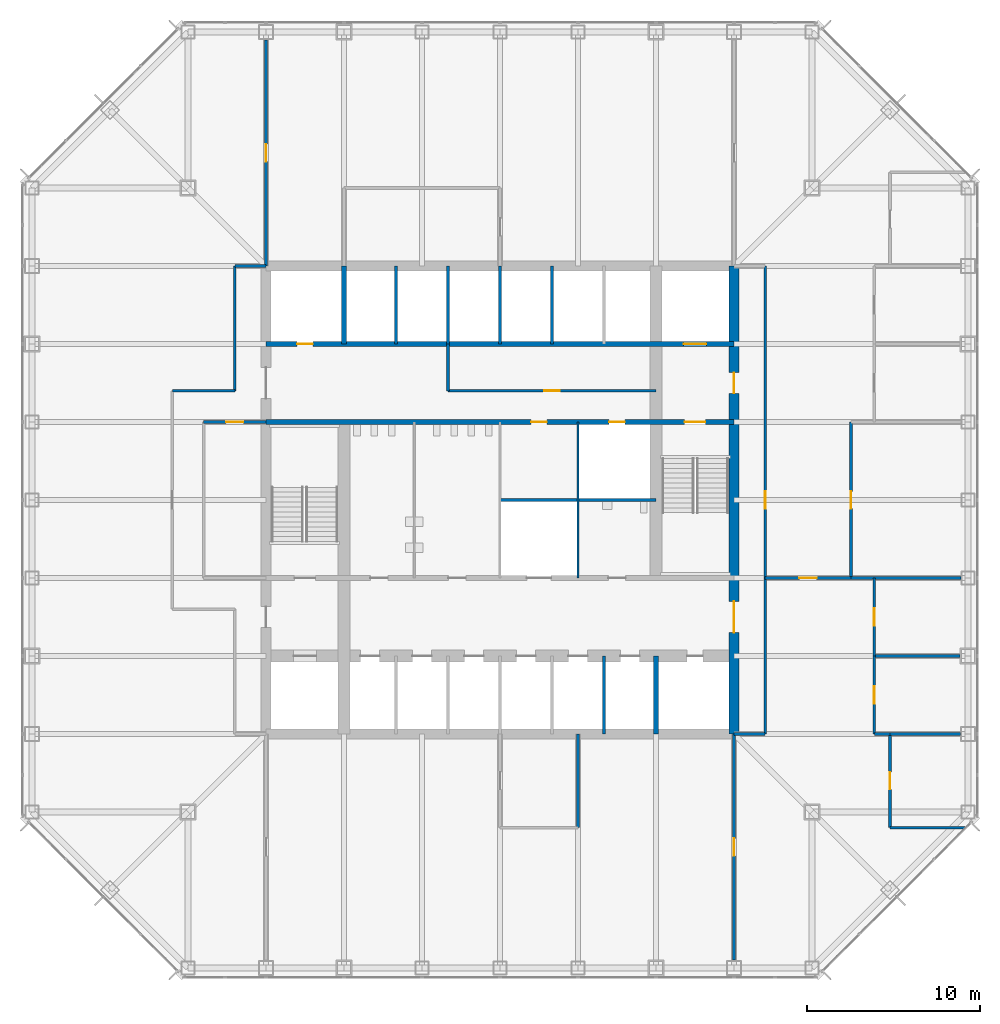
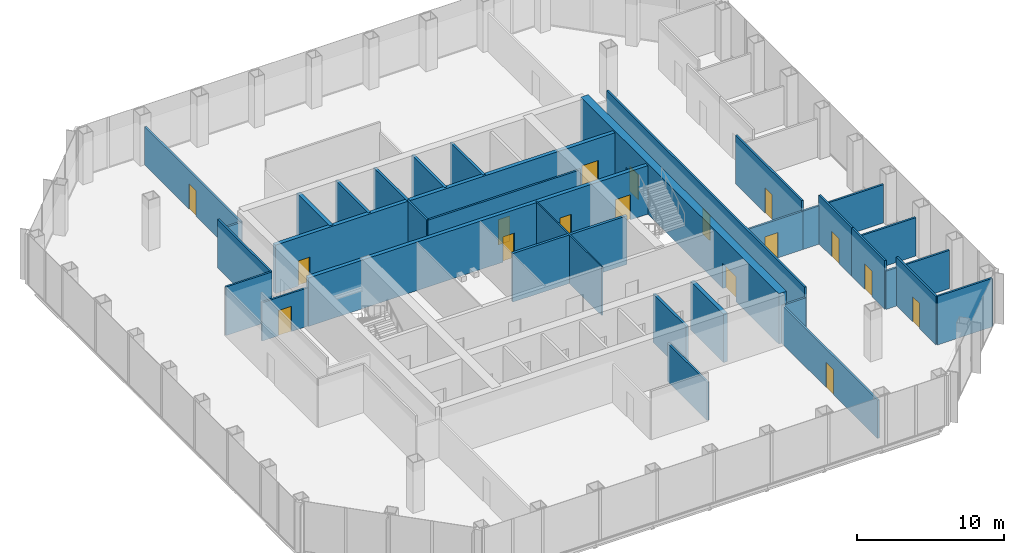
# One storey, part 9 of 12: 33 walls, 17 doors, 17 openings.
"""IFC4 building model written with IfcOpenShell, lengths in metres."""

from ifc_helpers import new_model, si_unit, direction, frame, frame_2d, origin, place, context, subcontext, project, spatial, rectangle, extrude, material, layer, layer_set, type_object, element, fill, save


model = new_model("IFC4")

# Units and contexts
model_context = context("Model", 3, precision=1e-05, world=origin(), true_north=direction((0.0, 1.0)))
body_context = subcontext(model_context, "Body", "Model", "MODEL_VIEW")
ifc_project = project(units=[si_unit("LENGTHUNIT", "METRE"), si_unit("AREAUNIT", "SQUARE_METRE"), si_unit("VOLUMEUNIT", "CUBIC_METRE"), si_unit("PLANEANGLEUNIT", "RADIAN"), si_unit("MASSUNIT", "GRAM", prefix="KILO")], contexts=[model_context])

# Site, building, storey
site_placement = place(None, origin())
site = spatial("IfcSite", under=ifc_project, at=site_placement, CompositionType="ELEMENT")
building_placement = place(site_placement, origin())
building = spatial("IfcBuilding", under=site, at=building_placement, Name="Corais Broadcast Tower", CompositionType="ELEMENT")
storey_placement = place(building_placement, frame((0.0, 0.0, 75.199951171875)))
storey = spatial("IfcBuildingStorey", under=building, at=storey_placement, Name="L16", CompositionType="ELEMENT", Elevation=75.199951171875)

# Walls
ifc_material_1 = material(Name="Concrete blockwork class A, grouted, two-hour", Category="masonry")
ifc_layer_1 = layer(ifc_material_1, 0.300048828125)
ifc_layer_set_1 = layer_set([ifc_layer_1], Name="Concrete blockwork class A, grouted, two-hour")
wall_type_1 = type_object("IfcWallType", Name="Core lobby wall 300", PredefinedType="SOLIDWALL", material=ifc_layer_set_1)
for number, where, z_axis, x_axis, name in (
    (1, (18.0, 36.0, 0.0), (0.0, 0.0, 1.0), (0.0, 1.0, 0.0), "CL1 core shaft wall X18B L16"),
    (2, (36.0, 13.5, 0.0), (0.0, 0.0, 1.0), (0.0, 1.0, 0.0), "CL1 core shaft wall X36A L16"),
):
    element("IfcWall", number, at=place(storey_placement, frame(where, z_axis=z_axis, x_axis=x_axis)), inside=storey, type_object=wall_type_1, Name=name, PredefinedType="SOLIDWALL", context=body_context, shape_type="SweptSolid", body=[
        extrude(rectangle(XDim=4.5, YDim=0.300048828125, at=frame_2d((2.25, 0.0))), origin(), (0.0, 0.0, 1.0), 4.0400390625),
    ])

# Wall, openings, doors
wall_1_placement = place(storey_placement, frame((13.5, 31.5, 0.0), z_axis=(0.0, 0.0, 1.0), x_axis=(1.0, 0.0, 0.0)))
wall_1 = element("IfcWall", 3, at=wall_1_placement, inside=storey, type_object=wall_type_1, Name="CL1 core lobby wall Y315 L16", PredefinedType="SOLIDWALL", context=body_context, shape_type="SweptSolid", body=[
    extrude(rectangle(XDim=27.0, YDim=0.300048828125, at=frame_2d((13.5, 0.0))), origin(), (0.0, 0.0, 1.0), 4.0400390625),
])
opening_1_placement = place(wall_1_placement, frame((24.14990234375, 0.0, 0.0)))
opening_1 = element("IfcOpeningElement", 4, at=opening_1_placement, cuts=wall_1, Name="Opening FD1", PredefinedType="OPENING", context=body_context, shape_type="SweptSolid", body=[
    extrude(rectangle(XDim=1.199951171875, YDim=2.10009765625, at=frame_2d((0.60009765625, 1.050048828125))), frame((0.0, 0.159912109375, 0.0), z_axis=(0.0, -1.0, 0.0), x_axis=(1.0, 0.0, 0.0)), (0.0, 0.0, 1.0), 0.320068359375),
])
opening_2_placement = place(wall_1_placement, frame((15.300048828125, 0.0, 0.0)))
opening_2 = element("IfcOpeningElement", 5, at=opening_2_placement, cuts=wall_1, Name="Opening RD1", PredefinedType="OPENING", context=body_context, shape_type="SweptSolid", body=[
    extrude(rectangle(XDim=0.89990234375, YDim=2.10009765625, at=frame_2d((0.449951171875, 1.050048828125))), frame((0.0, 0.159912109375, 0.0), z_axis=(0.0, -1.0, 0.0), x_axis=(1.0, 0.0, 0.0)), (0.0, 0.0, 1.0), 0.320068359375),
])
opening_3_placement = place(wall_1_placement, frame((19.800048828125, 0.0, 0.0)))
opening_3 = element("IfcOpeningElement", 6, at=opening_3_placement, cuts=wall_1, Name="Opening RD1", PredefinedType="OPENING", context=body_context, shape_type="SweptSolid", body=[
    extrude(rectangle(XDim=0.89990234375, YDim=2.10009765625, at=frame_2d((0.449951171875, 1.050048828125))), frame((0.0, 0.159912109375, 0.0), z_axis=(0.0, -1.0, 0.0), x_axis=(1.0, 0.0, 0.0)), (0.0, 0.0, 1.0), 0.320068359375),
])
ifc_material_2 = material(Name="Steel fire door", Category="steel")
door_type_1 = type_object("IfcDoorType", Name="Fire door 1200x2100", OperationType="SINGLE_SWING_LEFT", PredefinedType="DOOR", material=ifc_material_2)
door_1_placement = place(opening_1_placement, origin())
door_1 = element("IfcDoor", 7, at=door_1_placement, inside=storey, type_object=door_type_1, Name="FD1 stair B door L16", OperationType="SINGLE_SWING_RIGHT", OverallHeight=2.10009765625, OverallWidth=1.199951171875, PredefinedType="DOOR", context=body_context, shape_type="SweptSolid", body=[
    extrude(rectangle(XDim=1.199951171875, YDim=2.10009765625, at=frame_2d((0.60009765625, 1.050048828125))), frame((0.0, 0.02490234375, 0.0), z_axis=(0.0, -1.0, 0.0), x_axis=(1.0, 0.0, 0.0)), (0.0, 0.0, 1.0), 0.050048828125),
])
fill(opening_1, door_1)
ifc_material_3 = material(Name="Steel fire door", Category="steel")
door_type_2 = type_object("IfcDoorType", Name="Riser door 900x2100", OperationType="SINGLE_SWING_LEFT", PredefinedType="DOOR", material=ifc_material_3)
door_2_placement = place(opening_2_placement, origin())
door_2 = element("IfcDoor", 8, at=door_2_placement, inside=storey, type_object=door_type_2, Name="RD1 tea point door L16", OperationType="SINGLE_SWING_RIGHT", OverallHeight=2.10009765625, OverallWidth=0.89990234375, PredefinedType="DOOR", context=body_context, shape_type="SweptSolid", body=[
    extrude(rectangle(XDim=0.89990234375, YDim=2.10009765625, at=frame_2d((0.449951171875, 1.050048828125))), frame((0.0, 0.02490234375, 0.0), z_axis=(0.0, -1.0, 0.0), x_axis=(1.0, 0.0, 0.0)), (0.0, 0.0, 1.0), 0.050048828125),
])
fill(opening_2, door_2)
door_3_placement = place(opening_3_placement, origin())
door_3 = element("IfcDoor", 9, at=door_3_placement, inside=storey, type_object=door_type_2, Name="RD1 riser door L16", OperationType="SINGLE_SWING_RIGHT", OverallHeight=2.10009765625, OverallWidth=0.89990234375, PredefinedType="DOOR", context=body_context, shape_type="SweptSolid", body=[
    extrude(rectangle(XDim=0.89990234375, YDim=2.10009765625, at=frame_2d((0.449951171875, 1.050048828125))), frame((0.0, 0.02490234375, 0.0), z_axis=(0.0, -1.0, 0.0), x_axis=(1.0, 0.0, 0.0)), (0.0, 0.0, 1.0), 0.050048828125),
])
fill(opening_3, door_3)

ifc_material_4 = material(Name="Concrete C50/60", Category="concrete")
ifc_layer_2 = layer(ifc_material_4, 0.60009765625)
ifc_layer_set_2 = layer_set([ifc_layer_2], Name="Concrete C50/60")
wall_type_2 = type_object("IfcWallType", Name="Core wall 600", PredefinedType="SHEAR", material=ifc_layer_set_2)
wall_2_placement = place(storey_placement, frame((40.5, 13.5, 0.0), z_axis=(0.0, 0.0, 1.0), x_axis=(0.0, 1.0, 0.0)))
wall_2 = element("IfcWall", 10, at=wall_2_placement, inside=storey, type_object=wall_type_2, Name="CR600 core wall E L16", PredefinedType="SHEAR", context=body_context, shape_type="SweptSolid", body=[
    extrude(rectangle(XDim=27.0, YDim=0.60009765625, at=frame_2d((13.5, 0.0))), origin(), (0.0, 0.0, 1.0), 4.199951171875),
])
opening_4_placement = place(wall_2_placement, frame((5.85009765625, 0.0, 0.0)))
opening_4 = element("IfcOpeningElement", 11, at=opening_4_placement, cuts=wall_2, Name="Opening FD2", PredefinedType="OPENING", context=body_context, shape_type="SweptSolid", body=[
    extrude(rectangle(XDim=1.800048828125, YDim=2.10009765625, at=frame_2d((0.89990234375, 1.050048828125))), frame((0.0, 0.31005859375, 0.0), z_axis=(0.0, -1.0, 0.0), x_axis=(1.0, 0.0, 0.0)), (0.0, 0.0, 1.0), 0.6201171875),
])
opening_5_placement = place(wall_2_placement, frame((19.64990234375, 0.0, 0.0)))
opening_5 = element("IfcOpeningElement", 12, at=opening_5_placement, cuts=wall_2, Name="Opening FD1", PredefinedType="OPENING", context=body_context, shape_type="SweptSolid", body=[
    extrude(rectangle(XDim=1.199951171875, YDim=2.10009765625, at=frame_2d((0.60009765625, 1.050048828125))), frame((0.0, 0.31005859375, 0.0), z_axis=(0.0, -1.0, 0.0), x_axis=(1.0, 0.0, 0.0)), (0.0, 0.0, 1.0), 0.6201171875),
])
door_4_placement = place(opening_5_placement, origin())
door_4 = element("IfcDoor", 13, at=door_4_placement, inside=storey, type_object=door_type_1, Name="FD1 fire lobby B door L16", OperationType="SINGLE_SWING_RIGHT", OverallHeight=2.10009765625, OverallWidth=1.199951171875, PredefinedType="DOOR", context=body_context, shape_type="SweptSolid", body=[
    extrude(rectangle(XDim=1.199951171875, YDim=2.10009765625, at=frame_2d((0.60009765625, 1.050048828125))), frame((0.0, 0.02490234375, 0.0), z_axis=(0.0, -1.0, 0.0), x_axis=(1.0, 0.0, 0.0)), (0.0, 0.0, 1.0), 0.050048828125),
])
fill(opening_5, door_4)
ifc_material_5 = material(Name="Steel fire door", Category="steel")
door_type_3 = type_object("IfcDoorType", Name="Fire door pair 1800x2100", OperationType="DOUBLE_DOOR_SINGLE_SWING", PredefinedType="DOOR", material=ifc_material_5)
door_5_placement = place(opening_4_placement, origin())
door_5 = element("IfcDoor", 14, at=door_5_placement, inside=storey, type_object=door_type_3, Name="FD2 lift lobby door L16", OperationType="SINGLE_SWING_LEFT", OverallHeight=2.10009765625, OverallWidth=1.800048828125, PredefinedType="DOOR", context=body_context, shape_type="SweptSolid", body=[
    extrude(rectangle(XDim=1.800048828125, YDim=2.10009765625, at=frame_2d((0.89990234375, 1.050048828125))), frame((0.0, 0.02490234375, 0.0), z_axis=(0.0, -1.0, 0.0), x_axis=(1.0, 0.0, 0.0)), (0.0, 0.0, 1.0), 0.050048828125),
])
fill(opening_4, door_5)

ifc_material_6 = material(Name="Concrete blockwork class A, grouted, four-hour", Category="masonry")
ifc_layer_3 = layer(ifc_material_6, 0.300048828125)
ifc_layer_set_3 = layer_set([ifc_layer_3], Name="Concrete blockwork class A, grouted, four-hour")
wall_type_3 = type_object("IfcWallType", Name="Emergency lift shaft wall 300", PredefinedType="SOLIDWALL", material=ifc_layer_set_3)
wall_3_placement = place(storey_placement, frame((13.5, 36.0, 0.0), z_axis=(0.0, 0.0, 1.0), x_axis=(1.0, 0.0, 0.0)))
wall_3 = element("IfcWall", 15, at=wall_3_placement, inside=storey, type_object=wall_type_3, Name="LS1 core lobby wall Y36 L16", PredefinedType="SOLIDWALL", context=body_context, shape_type="SweptSolid", body=[
    extrude(rectangle(XDim=27.0, YDim=0.300048828125, at=frame_2d((13.5, 0.0))), origin(), (0.0, 0.0, 1.0), 4.0400390625),
])
opening_6_placement = place(wall_3_placement, frame((1.800048828125, 0.0, 0.0)))
opening_6 = element("IfcOpeningElement", 16, at=opening_6_placement, cuts=wall_3, Name="Opening RD1", PredefinedType="OPENING", context=body_context, shape_type="SweptSolid", body=[
    extrude(rectangle(XDim=0.89990234375, YDim=2.10009765625, at=frame_2d((0.449951171875, 1.050048828125))), frame((0.0, 0.159912109375, 0.0), z_axis=(0.0, -1.0, 0.0), x_axis=(1.0, 0.0, 0.0)), (0.0, 0.0, 1.0), 0.320068359375),
])
opening_7_placement = place(wall_3_placement, frame((24.10009765625, 0.0, 0.0)))
opening_7 = element("IfcOpeningElement", 17, at=opening_7_placement, cuts=wall_3, Name="Opening LD2", PredefinedType="OPENING", context=body_context, shape_type="SweptSolid", body=[
    extrude(rectangle(XDim=1.300048828125, YDim=2.199951171875, at=frame_2d((0.64990234375, 1.10009765625))), frame((0.0, 0.159912109375, 0.0), z_axis=(0.0, -1.0, 0.0), x_axis=(1.0, 0.0, 0.0)), (0.0, 0.0, 1.0), 0.320068359375),
])
ifc_material_7 = material(Name="Stainless steel lift door", Category="steel")
door_type_4 = type_object("IfcDoorType", Name="Lift landing door 1300x2200", OperationType="SLIDING_TO_LEFT", PredefinedType="DOOR", material=ifc_material_7)
door_6_placement = place(opening_7_placement, origin())
door_6 = element("IfcDoor", 18, at=door_6_placement, inside=storey, type_object=door_type_4, Name="LD2 FL2 landing door L16", OperationType="SLIDING_TO_LEFT", OverallHeight=2.199951171875, OverallWidth=1.300048828125, PredefinedType="DOOR", context=body_context, shape_type="SweptSolid", body=[
    extrude(rectangle(XDim=1.300048828125, YDim=2.199951171875, at=frame_2d((0.64990234375, 1.10009765625))), frame((0.0, 0.02490234375, 0.0), z_axis=(0.0, -1.0, 0.0), x_axis=(1.0, 0.0, 0.0)), (0.0, 0.0, 1.0), 0.050048828125),
])
fill(opening_7, door_6)
door_7_placement = place(opening_6_placement, origin())
door_7 = element("IfcDoor", 19, at=door_7_placement, inside=storey, type_object=door_type_2, Name="RD1 riser door L16", OperationType="SINGLE_SWING_LEFT", OverallHeight=2.10009765625, OverallWidth=0.89990234375, PredefinedType="DOOR", context=body_context, shape_type="SweptSolid", body=[
    extrude(rectangle(XDim=0.89990234375, YDim=2.10009765625, at=frame_2d((0.449951171875, 1.050048828125))), frame((0.0, 0.02490234375, 0.0), z_axis=(0.0, -1.0, 0.0), x_axis=(1.0, 0.0, 0.0)), (0.0, 0.0, 1.0), 0.050048828125),
])
fill(opening_6, door_7)

# Wall, opening, door
ifc_material_8 = material(Name="Two layers of fire-rated gypsum board each side on steel studs", Category="steel")
ifc_layer_4 = layer(ifc_material_8, 0.14990234375)
ifc_layer_set_4 = layer_set([ifc_layer_4], Name="Two layers of fire-rated gypsum board each side on steel studs")
wall_type_4 = type_object("IfcWallType", Name="Fire-rated partition 150 EI 60", PredefinedType="PARTITIONING", material=ifc_layer_set_4)
wall_4_placement = place(storey_placement, frame((24.0, 33.300048828125, 0.0), z_axis=(0.0, 0.0, 1.0), x_axis=(1.0, 0.0, 0.0)))
wall_4 = element("IfcWall", 20, at=wall_4_placement, inside=storey, type_object=wall_type_4, Name="IW7 partition L16", PredefinedType="PARTITIONING", context=body_context, shape_type="SweptSolid", body=[
    extrude(rectangle(XDim=12.0, YDim=0.14990234375, at=frame_2d((6.0, 0.0))), origin(), (0.0, 0.0, 1.0), 4.0400390625),
])
opening_8_placement = place(wall_4_placement, frame((5.550048828125, 0.0, 0.0)))
opening_8 = element("IfcOpeningElement", 21, at=opening_8_placement, cuts=wall_4, Name="Opening RD1", PredefinedType="OPENING", context=body_context, shape_type="SweptSolid", body=[
    extrude(rectangle(XDim=0.89990234375, YDim=2.10009765625, at=frame_2d((0.449951171875, 1.050048828125))), frame((0.0, 0.0849609375, 0.0), z_axis=(0.0, -1.0, 0.0), x_axis=(1.0, 0.0, 0.0)), (0.0, 0.0, 1.0), 0.169921875),
])
door_8_placement = place(opening_8_placement, origin())
door_8 = element("IfcDoor", 22, at=door_8_placement, inside=storey, type_object=door_type_2, Name="RD1 wellness room door L16", OperationType="SINGLE_SWING_LEFT", OverallHeight=2.10009765625, OverallWidth=0.89990234375, PredefinedType="DOOR", context=body_context, shape_type="SweptSolid", body=[
    extrude(rectangle(XDim=0.89990234375, YDim=2.10009765625, at=frame_2d((0.449951171875, 1.050048828125))), frame((0.0, 0.02490234375, 0.0), z_axis=(0.0, -1.0, 0.0), x_axis=(1.0, 0.0, 0.0)), (0.0, 0.0, 1.0), 0.050048828125),
])
fill(opening_8, door_8)

# Wall
wall_5_placement = place(storey_placement, frame((24.0, 33.300048828125, 0.0), z_axis=(0.0, 0.0, 1.0), x_axis=(0.0, 1.0, 0.0)))
element("IfcWall", 23, at=wall_5_placement, inside=storey, type_object=wall_type_4, Name="IW7 partition L16", PredefinedType="PARTITIONING", context=body_context, shape_type="SweptSolid", body=[
    extrude(rectangle(XDim=2.699951171875, YDim=0.14990234375, at=frame_2d((1.35009765625, 0.0))), origin(), (0.0, 0.0, 1.0), 4.0400390625),
])

# Wall, opening, door
ifc_material_9 = material(Name="Gypsum board on steel studs", Category="steel")
ifc_layer_5 = layer(ifc_material_9, 0.14990234375)
ifc_layer_set_5 = layer_set([ifc_layer_5], Name="Gypsum board on steel studs")
wall_type_5 = type_object("IfcWallType", Name="Partition 150", PredefinedType="PARTITIONING", material=ifc_layer_set_5)
wall_6_placement = place(storey_placement, frame((42.300048828125, 13.5, 0.0), z_axis=(0.0, 0.0, 1.0), x_axis=(0.0, 1.0, 0.0)))
wall_6 = element("IfcWall", 24, at=wall_6_placement, inside=storey, type_object=wall_type_5, Name="IW3 corridor wall L16", PredefinedType="PARTITIONING", context=body_context, shape_type="SweptSolid", body=[
    extrude(rectangle(XDim=27.0, YDim=0.14990234375, at=frame_2d((13.5, 0.0))), origin(), (0.0, 0.0, 1.0), 4.0400390625),
])
opening_9_placement = place(wall_6_placement, frame((13.0, 0.0, 0.0)))
opening_9 = element("IfcOpeningElement", 25, at=opening_9_placement, cuts=wall_6, Name="Opening D1", PredefinedType="OPENING", context=body_context, shape_type="SweptSolid", body=[
    extrude(rectangle(XDim=1.0, YDim=2.10009765625, at=frame_2d((0.5, 1.050048828125))), frame((0.0, 0.0849609375, 0.0), z_axis=(0.0, -1.0, 0.0), x_axis=(1.0, 0.0, 0.0)), (0.0, 0.0, 1.0), 0.169921875),
])
ifc_material_10 = material(Name="Timber door", Category="wood")
door_type_5 = type_object("IfcDoorType", Name="Single door 1000x2100", OperationType="SINGLE_SWING_LEFT", PredefinedType="DOOR", material=ifc_material_10)
door_9_placement = place(opening_9_placement, origin())
door_9 = element("IfcDoor", 26, at=door_9_placement, inside=storey, type_object=door_type_5, Name="D1 workplace door L16", OperationType="SINGLE_SWING_LEFT", OverallHeight=2.10009765625, OverallWidth=1.0, PredefinedType="DOOR", context=body_context, shape_type="SweptSolid", body=[
    extrude(rectangle(XDim=1.0, YDim=2.10009765625, at=frame_2d((0.5, 1.050048828125))), frame((0.0, 0.02490234375, 0.0), z_axis=(0.0, -1.0, 0.0), x_axis=(1.0, 0.0, 0.0)), (0.0, 0.0, 1.0), 0.050048828125),
])
fill(opening_9, door_9)

# Walls
wall_7_placement = place(storey_placement, frame((11.699951171875, 40.5, 0.0), z_axis=(0.0, 0.0, 1.0), x_axis=(0.0, -1.0, 0.0)))
element("IfcWall", 27, at=wall_7_placement, inside=storey, type_object=wall_type_5, Name="IW3 corridor wall L16", PredefinedType="PARTITIONING", context=body_context, shape_type="SweptSolid", body=[
    extrude(rectangle(XDim=7.199951171875, YDim=0.14990234375, at=frame_2d((3.60009765625, 0.0))), origin(), (0.0, 0.0, 1.0), 4.0400390625),
])
wall_8_placement = place(storey_placement, frame((11.699951171875, 33.300048828125, 0.0), z_axis=(0.0, 0.0, 1.0), x_axis=(-1.0, 0.0, 0.0)))
element("IfcWall", 28, at=wall_8_placement, inside=storey, type_object=wall_type_5, Name="IW3 corridor wall L16", PredefinedType="PARTITIONING", context=body_context, shape_type="SweptSolid", body=[
    extrude(rectangle(XDim=3.599853515625, YDim=0.14990234375, at=frame_2d((1.7998046875, 0.0))), origin(), (0.0, 0.0, 1.0), 4.0400390625),
])
for number, where, z_axis, x_axis, name in (
    (29, (13.510009765625, 40.5, 0.0), (0.0, 0.0, 1.0), (-1.0, 0.0, 0.0), "IW3 corridor wall L16"),
    (30, (40.489990234375, 13.5, 0.0), (0.0, 0.0, 1.0), (1.0, 0.0, 0.0), "IW3 corridor wall L16"),
):
    element("IfcWall", number, at=place(storey_placement, frame(where, z_axis=z_axis, x_axis=x_axis)), inside=storey, type_object=wall_type_5, Name=name, PredefinedType="PARTITIONING", context=body_context, shape_type="SweptSolid", body=[
        extrude(rectangle(XDim=1.81005859375, YDim=0.14990234375, at=frame_2d((0.905029296875, 0.0))), origin(), (0.0, 0.0, 1.0), 3.18896484375),
    ])
wall_9_placement = place(storey_placement, frame((47.25, 22.5, 0.0), z_axis=(0.0, 0.0, 1.0), x_axis=(1.0, 0.0, 0.0)))
element("IfcWall", 31, at=wall_9_placement, inside=storey, type_object=wall_type_5, Name="IW3 partition L16", PredefinedType="PARTITIONING", context=body_context, shape_type="SweptSolid", body=[
    extrude(rectangle(XDim=6.340087890625, YDim=0.14990234375, at=frame_2d((3.169921875, 0.0))), origin(), (0.0, 0.0, 1.0), 3.18896484375),
])

# Wall, opening, door
wall_10_placement = place(storey_placement, frame((47.25, 31.5, 0.0), z_axis=(0.0, 0.0, 1.0), x_axis=(0.0, -1.0, 0.0)))
wall_10 = element("IfcWall", 32, at=wall_10_placement, inside=storey, type_object=wall_type_5, Name="IW3 partition L16", PredefinedType="PARTITIONING", context=body_context, shape_type="SweptSolid", body=[
    extrude(rectangle(XDim=9.0, YDim=0.14990234375, at=frame_2d((4.5, 0.0))), origin(), (0.0, 0.0, 1.0), 4.0400390625),
])
opening_10_placement = place(wall_10_placement, frame((4.0, 0.0, 0.0)))
opening_10 = element("IfcOpeningElement", 33, at=opening_10_placement, cuts=wall_10, Name="Opening D1", PredefinedType="OPENING", context=body_context, shape_type="SweptSolid", body=[
    extrude(rectangle(XDim=1.0, YDim=2.10009765625, at=frame_2d((0.5, 1.050048828125))), frame((0.0, 0.0849609375, 0.0), z_axis=(0.0, -1.0, 0.0), x_axis=(1.0, 0.0, 0.0)), (0.0, 0.0, 1.0), 0.169921875),
])
door_10_placement = place(opening_10_placement, origin())
door_10 = element("IfcDoor", 34, at=door_10_placement, inside=storey, type_object=door_type_5, Name="D1 Client conference room door", OperationType="SINGLE_SWING_LEFT", OverallHeight=2.10009765625, OverallWidth=1.0, PredefinedType="DOOR", context=body_context, shape_type="SweptSolid", body=[
    extrude(rectangle(XDim=1.0, YDim=2.10009765625, at=frame_2d((0.5, 1.050048828125))), frame((0.0, 0.02490234375, 0.0), z_axis=(0.0, -1.0, 0.0), x_axis=(1.0, 0.0, 0.0)), (0.0, 0.0, 1.0), 0.050048828125),
])
fill(opening_10, door_10)

# Walls
wall_11_placement = place(storey_placement, frame((49.5, 8.10009765625, 0.0), z_axis=(0.0, 0.0, 1.0), x_axis=(1.0, 0.0, 0.0)))
element("IfcWall", 35, at=wall_11_placement, inside=storey, type_object=wall_type_5, Name="IW3 partition L16", PredefinedType="PARTITIONING", context=body_context, shape_type="SweptSolid", body=[
    extrude(rectangle(XDim=4.33544921875, YDim=0.14990234375, at=frame_2d((2.167724609375, 0.0))), origin(), (0.0, 0.0, 1.0), 4.0400390625),
])
wall_12_placement = place(storey_placement, frame((53.56494140625, 13.5, 0.0), z_axis=(0.0, 0.0, 1.0), x_axis=(-1.0, 0.0, 0.0)))
element("IfcWall", 36, at=wall_12_placement, inside=storey, type_object=wall_type_5, Name="IW3 partition L16", PredefinedType="PARTITIONING", context=body_context, shape_type="SweptSolid", body=[
    extrude(rectangle(XDim=4.06494140625, YDim=0.14990234375, at=frame_2d((2.032470703125, 0.0))), origin(), (0.0, 0.0, 1.0), 3.18896484375),
])

# Wall, opening, door
wall_13_placement = place(storey_placement, frame((49.5, 13.5, 0.0), z_axis=(0.0, 0.0, 1.0), x_axis=(0.0, -1.0, 0.0)))
wall_13 = element("IfcWall", 37, at=wall_13_placement, inside=storey, type_object=wall_type_5, Name="IW3 partition L16", PredefinedType="PARTITIONING", context=body_context, shape_type="SweptSolid", body=[
    extrude(rectangle(XDim=5.39990234375, YDim=0.14990234375, at=frame_2d((2.699951171875, 0.0))), origin(), (0.0, 0.0, 1.0), 4.0400390625),
])
opening_11_placement = place(wall_13_placement, frame((2.199951171875, 0.0, 0.0)))
opening_11 = element("IfcOpeningElement", 38, at=opening_11_placement, cuts=wall_13, Name="Opening D1", PredefinedType="OPENING", context=body_context, shape_type="SweptSolid", body=[
    extrude(rectangle(XDim=1.0, YDim=2.10009765625, at=frame_2d((0.5, 1.050048828125))), frame((0.0, 0.0849609375, 0.0), z_axis=(0.0, -1.0, 0.0), x_axis=(1.0, 0.0, 0.0)), (0.0, 0.0, 1.0), 0.169921875),
])
door_11_placement = place(opening_11_placement, origin())
door_11 = element("IfcDoor", 39, at=door_11_placement, inside=storey, type_object=door_type_5, Name="D1 Sales office door", OperationType="SINGLE_SWING_LEFT", OverallHeight=2.10009765625, OverallWidth=1.0, PredefinedType="DOOR", context=body_context, shape_type="SweptSolid", body=[
    extrude(rectangle(XDim=1.0, YDim=2.10009765625, at=frame_2d((0.5, 1.050048828125))), frame((0.0, 0.02490234375, 0.0), z_axis=(0.0, -1.0, 0.0), x_axis=(1.0, 0.0, 0.0)), (0.0, 0.0, 1.0), 0.050048828125),
])
fill(opening_11, door_11)

# Walls
wall_14_placement = place(storey_placement, frame((48.60009765625, 13.5, 0.0), z_axis=(0.0, 0.0, 1.0), x_axis=(1.0, 0.0, 0.0)))
element("IfcWall", 40, at=wall_14_placement, inside=storey, type_object=wall_type_5, Name="IW3 partition L16", PredefinedType="PARTITIONING", context=body_context, shape_type="SweptSolid", body=[
    extrude(rectangle(XDim=0.89990234375, YDim=0.14990234375, at=frame_2d((0.449951171875, 0.0))), origin(), (0.0, 0.0, 1.0), 3.18896484375),
])
wall_15_placement = place(storey_placement, frame((53.5400390625, 18.0, 0.0), z_axis=(0.0, 0.0, 1.0), x_axis=(-1.0, 0.0, 0.0)))
element("IfcWall", 41, at=wall_15_placement, inside=storey, type_object=wall_type_5, Name="IW3 partition L16", PredefinedType="PARTITIONING", context=body_context, shape_type="SweptSolid", body=[
    extrude(rectangle(XDim=4.93994140625, YDim=0.14990234375, at=frame_2d((2.469970703125, 0.0))), origin(), (0.0, 0.0, 1.0), 3.18896484375),
])

# Wall, opening, door
wall_16_placement = place(storey_placement, frame((48.60009765625, 18.0, 0.0), z_axis=(0.0, 0.0, 1.0), x_axis=(0.0, -1.0, 0.0)))
wall_16 = element("IfcWall", 42, at=wall_16_placement, inside=storey, type_object=wall_type_5, Name="IW3 partition L16", PredefinedType="PARTITIONING", context=body_context, shape_type="SweptSolid", body=[
    extrude(rectangle(XDim=4.5, YDim=0.14990234375, at=frame_2d((2.25, 0.0))), origin(), (0.0, 0.0, 1.0), 4.0400390625),
])
opening_12_placement = place(wall_16_placement, frame((1.75, 0.0, 0.0)))
opening_12 = element("IfcOpeningElement", 43, at=opening_12_placement, cuts=wall_16, Name="Opening D1", PredefinedType="OPENING", context=body_context, shape_type="SweptSolid", body=[
    extrude(rectangle(XDim=1.0, YDim=2.10009765625, at=frame_2d((0.5, 1.050048828125))), frame((0.0, 0.0849609375, 0.0), z_axis=(0.0, -1.0, 0.0), x_axis=(1.0, 0.0, 0.0)), (0.0, 0.0, 1.0), 0.169921875),
])
door_12_placement = place(opening_12_placement, origin())
door_12 = element("IfcDoor", 44, at=door_12_placement, inside=storey, type_object=door_type_5, Name="D1 Sales office door", OperationType="SINGLE_SWING_LEFT", OverallHeight=2.10009765625, OverallWidth=1.0, PredefinedType="DOOR", context=body_context, shape_type="SweptSolid", body=[
    extrude(rectangle(XDim=1.0, YDim=2.10009765625, at=frame_2d((0.5, 1.050048828125))), frame((0.0, 0.02490234375, 0.0), z_axis=(0.0, -1.0, 0.0), x_axis=(1.0, 0.0, 0.0)), (0.0, 0.0, 1.0), 0.050048828125),
])
fill(opening_12, door_12)

wall_17_placement = place(storey_placement, frame((48.60009765625, 22.5, 0.0), z_axis=(0.0, 0.0, 1.0), x_axis=(0.0, -1.0, 0.0)))
wall_17 = element("IfcWall", 45, at=wall_17_placement, inside=storey, type_object=wall_type_5, Name="IW3 partition L16", PredefinedType="PARTITIONING", context=body_context, shape_type="SweptSolid", body=[
    extrude(rectangle(XDim=4.5, YDim=0.14990234375, at=frame_2d((2.25, 0.0))), origin(), (0.0, 0.0, 1.0), 4.0400390625),
])
opening_13_placement = place(wall_17_placement, frame((1.75, 0.0, 0.0)))
opening_13 = element("IfcOpeningElement", 46, at=opening_13_placement, cuts=wall_17, Name="Opening D1", PredefinedType="OPENING", context=body_context, shape_type="SweptSolid", body=[
    extrude(rectangle(XDim=1.0, YDim=2.10009765625, at=frame_2d((0.5, 1.050048828125))), frame((0.0, 0.0849609375, 0.0), z_axis=(0.0, -1.0, 0.0), x_axis=(1.0, 0.0, 0.0)), (0.0, 0.0, 1.0), 0.169921875),
])
door_13_placement = place(opening_13_placement, origin())
door_13 = element("IfcDoor", 47, at=door_13_placement, inside=storey, type_object=door_type_5, Name="D1 Sales office door", OperationType="SINGLE_SWING_LEFT", OverallHeight=2.10009765625, OverallWidth=1.0, PredefinedType="DOOR", context=body_context, shape_type="SweptSolid", body=[
    extrude(rectangle(XDim=1.0, YDim=2.10009765625, at=frame_2d((0.5, 1.050048828125))), frame((0.0, 0.02490234375, 0.0), z_axis=(0.0, -1.0, 0.0), x_axis=(1.0, 0.0, 0.0)), (0.0, 0.0, 1.0), 0.050048828125),
])
fill(opening_13, door_13)

wall_18_placement = place(storey_placement, frame((13.5, 31.5, 0.0), z_axis=(0.0, 0.0, 1.0), x_axis=(-1.0, 0.0, 0.0)))
wall_18 = element("IfcWall", 48, at=wall_18_placement, inside=storey, type_object=wall_type_5, Name="IW3 partition L16", PredefinedType="PARTITIONING", context=body_context, shape_type="SweptSolid", body=[
    extrude(rectangle(XDim=3.60009765625, YDim=0.14990234375, at=frame_2d((1.800048828125, 0.0))), origin(), (0.0, 0.0, 1.0), 3.18896484375),
])
opening_14_placement = place(wall_18_placement, frame((1.300048828125, 0.0, 0.0)))
opening_14 = element("IfcOpeningElement", 49, at=opening_14_placement, cuts=wall_18, Name="Opening D1", PredefinedType="OPENING", context=body_context, shape_type="SweptSolid", body=[
    extrude(rectangle(XDim=1.0, YDim=2.10009765625, at=frame_2d((0.5, 1.050048828125))), frame((0.0, 0.0849609375, 0.0), z_axis=(0.0, -1.0, 0.0), x_axis=(1.0, 0.0, 0.0)), (0.0, 0.0, 1.0), 0.169921875),
])
door_14_placement = place(opening_14_placement, origin())
door_14 = element("IfcDoor", 50, at=door_14_placement, inside=storey, type_object=door_type_5, Name="D1 Pantry door", OperationType="SINGLE_SWING_LEFT", OverallHeight=2.10009765625, OverallWidth=1.0, PredefinedType="DOOR", context=body_context, shape_type="SweptSolid", body=[
    extrude(rectangle(XDim=1.0, YDim=2.10009765625, at=frame_2d((0.5, 1.050048828125))), frame((0.0, 0.02490234375, 0.0), z_axis=(0.0, -1.0, 0.0), x_axis=(1.0, 0.0, 0.0)), (0.0, 0.0, 1.0), 0.050048828125),
])
fill(opening_14, door_14)

# Wall
wall_19_placement = place(storey_placement, frame((31.5, 8.10009765625, 0.0), z_axis=(0.0, 0.0, 1.0), x_axis=(0.0, 1.0, 0.0)))
element("IfcWall", 51, at=wall_19_placement, inside=storey, type_object=wall_type_5, Name="IW3 partition L16", PredefinedType="PARTITIONING", context=body_context, shape_type="SweptSolid", body=[
    extrude(rectangle(XDim=5.39990234375, YDim=0.14990234375, at=frame_2d((2.699951171875, 0.0))), origin(), (0.0, 0.0, 1.0), 3.18896484375),
])

# Wall, opening, door
wall_20_placement = place(storey_placement, frame((13.5, 40.5, 0.0), z_axis=(0.0, 0.0, 1.0), x_axis=(0.0, 1.0, 0.0)))
wall_20 = element("IfcWall", 52, at=wall_20_placement, inside=storey, type_object=wall_type_5, Name="IW3 partition L16", PredefinedType="PARTITIONING", context=body_context, shape_type="SweptSolid", body=[
    extrude(rectangle(XDim=13.054931640625, YDim=0.14990234375, at=frame_2d((6.52734375, 0.0))), origin(), (0.0, 0.0, 1.0), 3.18896484375),
])
opening_15_placement = place(wall_20_placement, frame((6.027587890625, 0.0, 0.0)))
opening_15 = element("IfcOpeningElement", 53, at=opening_15_placement, cuts=wall_20, Name="Opening D1", PredefinedType="OPENING", context=body_context, shape_type="SweptSolid", body=[
    extrude(rectangle(XDim=1.0, YDim=2.10009765625, at=frame_2d((0.5, 1.050048828125))), frame((0.0, 0.0849609375, 0.0), z_axis=(0.0, -1.0, 0.0), x_axis=(1.0, 0.0, 0.0)), (0.0, 0.0, 1.0), 0.169921875),
])
door_15_placement = place(opening_15_placement, origin())
door_15 = element("IfcDoor", 54, at=door_15_placement, inside=storey, type_object=door_type_5, Name="D1 team room door L16", OperationType="SINGLE_SWING_LEFT", OverallHeight=2.10009765625, OverallWidth=1.0, PredefinedType="DOOR", context=body_context, shape_type="SweptSolid", body=[
    extrude(rectangle(XDim=1.0, YDim=2.10009765625, at=frame_2d((0.5, 1.050048828125))), frame((0.0, 0.02490234375, 0.0), z_axis=(0.0, -1.0, 0.0), x_axis=(1.0, 0.0, 0.0)), (0.0, 0.0, 1.0), 0.050048828125),
])
fill(opening_15, door_15)

wall_21_placement = place(storey_placement, frame((47.25, 22.5, 0.0), z_axis=(0.0, 0.0, 1.0), x_axis=(-1.0, 0.0, 0.0)))
wall_21 = element("IfcWall", 55, at=wall_21_placement, inside=storey, type_object=wall_type_5, Name="IW3 partition L16", PredefinedType="PARTITIONING", context=body_context, shape_type="SweptSolid", body=[
    extrude(rectangle(XDim=4.949951171875, YDim=0.14990234375, at=frame_2d((2.47509765625, 0.0))), origin(), (0.0, 0.0, 1.0), 3.18896484375),
])
opening_16_placement = place(wall_21_placement, frame((1.97509765625, 0.0, 0.0)))
opening_16 = element("IfcOpeningElement", 56, at=opening_16_placement, cuts=wall_21, Name="Opening D1", PredefinedType="OPENING", context=body_context, shape_type="SweptSolid", body=[
    extrude(rectangle(XDim=1.0, YDim=2.10009765625, at=frame_2d((0.5, 1.050048828125))), frame((0.0, 0.0849609375, 0.0), z_axis=(0.0, -1.0, 0.0), x_axis=(1.0, 0.0, 0.0)), (0.0, 0.0, 1.0), 0.169921875),
])
door_16_placement = place(opening_16_placement, origin())
door_16 = element("IfcDoor", 57, at=door_16_placement, inside=storey, type_object=door_type_5, Name="D1 team room door L16", OperationType="SINGLE_SWING_LEFT", OverallHeight=2.10009765625, OverallWidth=1.0, PredefinedType="DOOR", context=body_context, shape_type="SweptSolid", body=[
    extrude(rectangle(XDim=1.0, YDim=2.10009765625, at=frame_2d((0.5, 1.050048828125))), frame((0.0, 0.02490234375, 0.0), z_axis=(0.0, -1.0, 0.0), x_axis=(1.0, 0.0, 0.0)), (0.0, 0.0, 1.0), 0.050048828125),
])
fill(opening_16, door_16)

wall_22_placement = place(storey_placement, frame((40.5, 13.5, 0.0), z_axis=(0.0, 0.0, 1.0), x_axis=(0.0, -1.0, 0.0)))
wall_22 = element("IfcWall", 58, at=wall_22_placement, inside=storey, type_object=wall_type_5, Name="IW3 partition L16", PredefinedType="PARTITIONING", context=body_context, shape_type="SweptSolid", body=[
    extrude(rectangle(XDim=13.054931640625, YDim=0.14990234375, at=frame_2d((6.52734375, 0.0))), origin(), (0.0, 0.0, 1.0), 3.18896484375),
])
opening_17_placement = place(wall_22_placement, frame((6.027587890625, 0.0, 0.0)))
opening_17 = element("IfcOpeningElement", 59, at=opening_17_placement, cuts=wall_22, Name="Opening D1", PredefinedType="OPENING", context=body_context, shape_type="SweptSolid", body=[
    extrude(rectangle(XDim=1.0, YDim=2.10009765625, at=frame_2d((0.5, 1.050048828125))), frame((0.0, 0.0849609375, 0.0), z_axis=(0.0, -1.0, 0.0), x_axis=(1.0, 0.0, 0.0)), (0.0, 0.0, 1.0), 0.169921875),
])
door_17_placement = place(opening_17_placement, origin())
door_17 = element("IfcDoor", 60, at=door_17_placement, inside=storey, type_object=door_type_5, Name="D1 team room door L16", OperationType="SINGLE_SWING_LEFT", OverallHeight=2.10009765625, OverallWidth=1.0, PredefinedType="DOOR", context=body_context, shape_type="SweptSolid", body=[
    extrude(rectangle(XDim=1.0, YDim=2.10009765625, at=frame_2d((0.5, 1.050048828125))), frame((0.0, 0.02490234375, 0.0), z_axis=(0.0, -1.0, 0.0), x_axis=(1.0, 0.0, 0.0)), (0.0, 0.0, 1.0), 0.050048828125),
])
fill(opening_17, door_17)

# Walls
ifc_material_11 = material(Name="Concrete blockwork class A, grouted, two-hour", Category="masonry")
ifc_layer_6 = layer(ifc_material_11, 0.199951171875)
ifc_layer_set_6 = layer_set([ifc_layer_6], Name="Concrete blockwork class A, grouted, two-hour")
wall_type_6 = type_object("IfcWallType", Name="Shaft wall 200", PredefinedType="PARTITIONING", material=ifc_layer_set_6)
for number, where, z_axis, x_axis, name in (
    (61, (21.0, 36.0, 0.0), (0.0, 0.0, 1.0), (0.0, 1.0, 0.0), "IW1 shaft wall L16"),
    (62, (24.0, 36.0, 0.0), (0.0, 0.0, 1.0), (0.0, 1.0, 0.0), "IW1 shaft wall L16"),
    (63, (27.0, 36.0, 0.0), (0.0, 0.0, 1.0), (0.0, 1.0, 0.0), "IW1 shaft wall L16"),
    (64, (30.0, 36.0, 0.0), (0.0, 0.0, 1.0), (0.0, 1.0, 0.0), "IW1 shaft wall L16"),
    (65, (33.0, 13.5, 0.0), (0.0, 0.0, 1.0), (0.0, 1.0, 0.0), "IW1 shaft wall L16"),
):
    element("IfcWall", number, at=place(storey_placement, frame(where, z_axis=z_axis, x_axis=x_axis)), inside=storey, type_object=wall_type_6, Name=name, PredefinedType="PARTITIONING", context=body_context, shape_type="SweptSolid", body=[
        extrude(rectangle(XDim=4.5, YDim=0.199951171875, at=frame_2d((2.25, 0.0))), origin(), (0.0, 0.0, 1.0), 4.0400390625),
    ])
wall_23_placement = place(storey_placement, frame((27.0, 27.0, 0.0), z_axis=(0.0, 0.0, 1.0), x_axis=(1.0, 0.0, 0.0)))
element("IfcWall", 66, at=wall_23_placement, inside=storey, type_object=wall_type_6, Name="IW1 shaft wall L16", PredefinedType="PARTITIONING", context=body_context, shape_type="SweptSolid", body=[
    extrude(rectangle(XDim=9.0, YDim=0.199951171875, at=frame_2d((4.5, 0.0))), origin(), (0.0, 0.0, 1.0), 4.0400390625),
])
ifc_material_12 = material(Name="Dense concrete blockwork class A, tiled both faces", Category="masonry")
ifc_layer_7 = layer(ifc_material_12, 0.10009765625)
ifc_layer_set_7 = layer_set([ifc_layer_7], Name="Dense concrete blockwork class A, tiled both faces")
wall_type_7 = type_object("IfcWallType", Name="Toilet wall 100", PredefinedType="PLUMBINGWALL", material=ifc_layer_set_7)
wall_24_placement = place(storey_placement, frame((31.5, 22.5, 0.0), z_axis=(0.0, 0.0, 1.0), x_axis=(0.0, 1.0, 0.0)))
element("IfcWall", 67, at=wall_24_placement, inside=storey, type_object=wall_type_7, Name="IW2 toilet wall L16", PredefinedType="PLUMBINGWALL", context=body_context, shape_type="SweptSolid", body=[
    extrude(rectangle(XDim=9.0, YDim=0.10009765625, at=frame_2d((4.5, 0.0))), origin(), (0.0, 0.0, 1.0), 4.0400390625),
])

save(model, "model.ifc")
